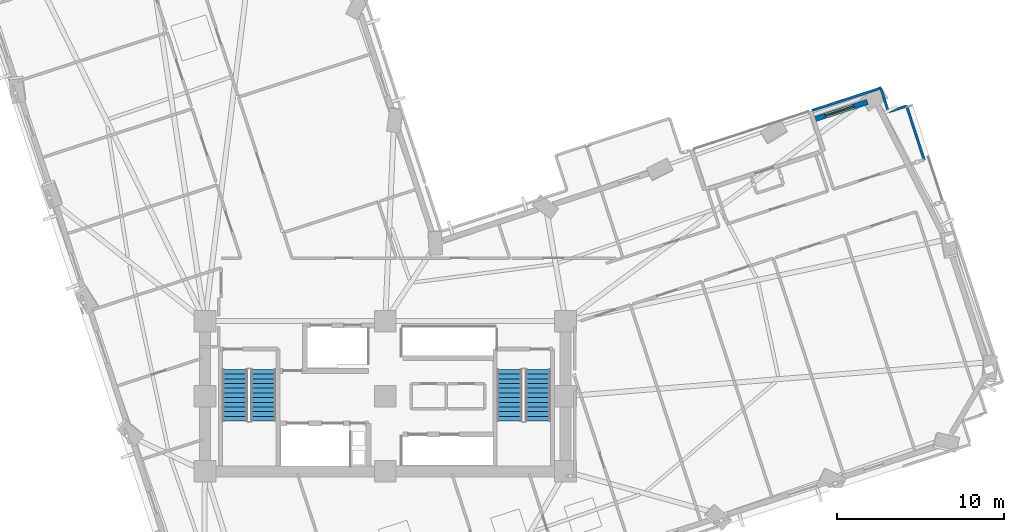
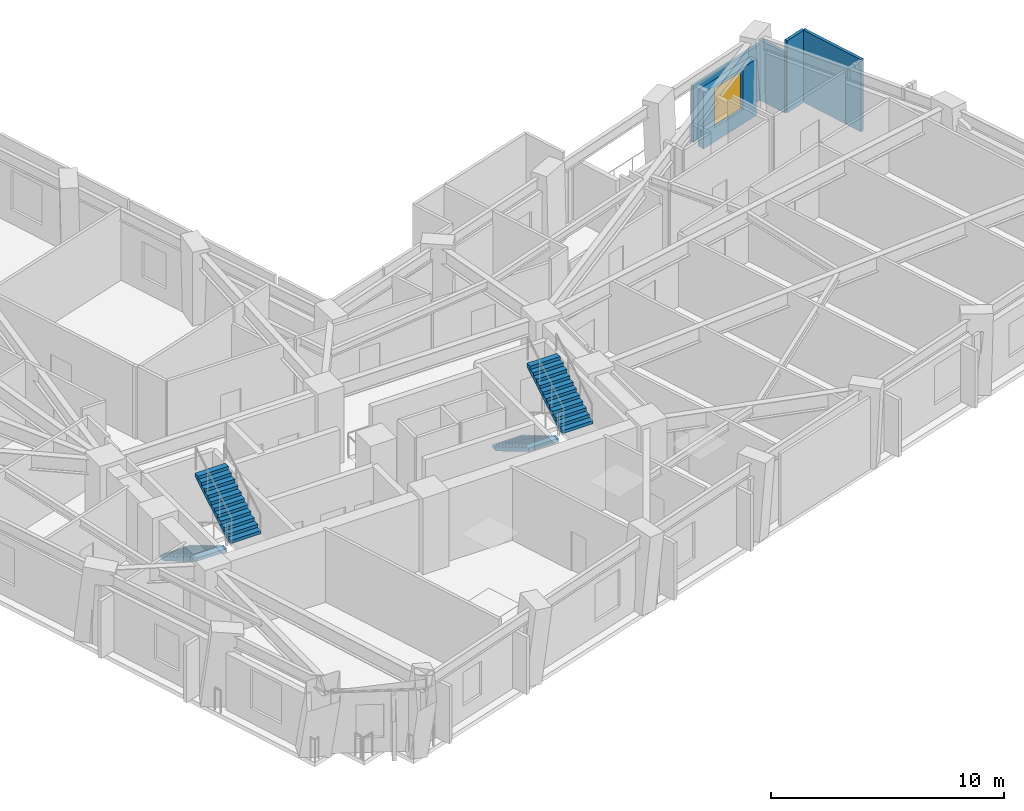
# One storey, part 11 of 16: 5 walls, 4 stair flights, 1 window, 1 opening, 2 elements without a shape of their own.
"""IFC4 building model written with IfcOpenShell, lengths in metres."""

from ifc_helpers import new_model, si_unit, direction, frame, frame_2d, origin, place, context, subcontext, project, spatial, polyline, rectangle, outline, extrude, material, layer, layer_set, type_object, element, fill, aggregate, save


model = new_model("IFC4")

# Units and contexts
model_context = context("Model", 3, precision=1e-05, world=origin(), true_north=direction((0.0, 1.0)))
body_context = subcontext(model_context, "Body", "Model", "MODEL_VIEW")
ifc_project = project(units=[si_unit("LENGTHUNIT", "METRE"), si_unit("AREAUNIT", "SQUARE_METRE"), si_unit("VOLUMEUNIT", "CUBIC_METRE"), si_unit("PLANEANGLEUNIT", "RADIAN"), si_unit("MASSUNIT", "GRAM", prefix="KILO")], contexts=[model_context])

# Site, building, storey
site_placement = place(None, origin())
site = spatial("IfcSite", under=ifc_project, at=site_placement, CompositionType="ELEMENT")
building_placement = place(site_placement, origin())
building = spatial("IfcBuilding", under=site, at=building_placement, Name="Gaonmaruhae Medical Tower", CompositionType="ELEMENT")
storey_placement = place(building_placement, frame((0.0, 0.0, 100.39990234375)))
storey = spatial("IfcBuildingStorey", under=building, at=storey_placement, Name="L23", CompositionType="ELEMENT", Elevation=100.39990234375)

# Wall, opening, window
ifc_material_1 = material(Name="Precast concrete C45/55", Category="concrete")
ifc_layer_1 = layer(ifc_material_1, 0.320068359375)
ifc_layer_set_1 = layer_set([ifc_layer_1], Name="Precast concrete C45/55")
wall_type_1 = type_object("IfcWallType", Name="EW-320 Lower Precast Masonry-Frame Facade Wall", PredefinedType="SOLIDWALL", material=ifc_layer_set_1)
wall_1_placement = place(storey_placement, frame((50.474609375, 28.87939453125, 0.0), z_axis=(0.0, 0.0, 1.0), x_axis=(0.950788010737, 0.309842151164, 0.0)))
wall_1 = element("IfcWall", 1, at=wall_1_placement, inside=storey, type_object=wall_type_1, Name="L23 Precast Masonry-Frame Wall E03-EN01", PredefinedType="SOLIDWALL", context=body_context, shape_type="SweptSolid", body=[
    extrude(rectangle(XDim=3.387451171875, YDim=0.320068359375, at=frame_2d((1.69384765625, 0.0))), origin(), (0.0, 0.0, 1.0), 2.945068359375),
])
opening_placement = place(wall_1_placement, frame((0.710693359375, 0.0, 0.75)))
opening = element("IfcOpeningElement", 2, at=opening_placement, cuts=wall_1, Name="Opening WN-04", PredefinedType="OPENING", context=body_context, shape_type="SweptSolid", body=[
    extrude(rectangle(XDim=1.800048828125, YDim=2.050048828125, at=frame_2d((0.89990234375, 1.02490234375))), frame((0.0, 0.169921875, 0.0), z_axis=(0.0, -1.0, 0.0), x_axis=(1.0, 0.0, 0.0)), (0.0, 0.0, 1.0), 0.340087890625),
])
ifc_material_2 = material(Name="Anodised aluminium and Low-E double glazing", Category="aluminium")
window_type = type_object("IfcWindowType", Name="WN-04 Clinic & Consult Punched Window 1800x2050", PartitioningType="SINGLE_PANEL", PredefinedType="WINDOW", material=ifc_material_2)
window_placement = place(opening_placement, origin())
window = element("IfcWindow", 3, at=window_placement, inside=storey, type_object=window_type, Name="L23 Modular Facade Window E03", OverallHeight=2.050048828125, OverallWidth=1.800048828125, PartitioningType="SINGLE_PANEL", PredefinedType="WINDOW", context=body_context, shape_type="SweptSolid", body=[
    extrude(rectangle(XDim=1.800048828125, YDim=2.050048828125, at=frame_2d((0.89990234375, 1.02490234375))), frame((0.0, 0.030029296875, 0.0), z_axis=(0.0, -1.0, 0.0), x_axis=(1.0, 0.0, 0.0)), (0.0, 0.0, 1.0), 0.06005859375),
])
fill(opening, window)

# Walls
ifc_material_3 = material(Name="Gypsum board partition", Category="gypsum")
ifc_layer_2 = layer(ifc_material_3, 0.14990234375)
ifc_layer_set_2 = layer_set([ifc_layer_2], Name="Gypsum board partition")
wall_type_2 = type_object("IfcWallType", Name="PW-150 Rated Clinical Corridor Partition", PredefinedType="PARTITIONING", material=ifc_layer_set_2)
wall_2_placement = place(storey_placement, frame((54.47998046875, 30.762939453125, 0.0), z_axis=(0.0, 0.0, 1.0), x_axis=(0.310068573935, -0.950714194413, 0.0)))
element("IfcWall", 4, at=wall_2_placement, inside=storey, type_object=wall_type_2, Name="L23 Interior Partition L23-IE06-89", PredefinedType="PARTITIONING", context=body_context, shape_type="SweptSolid", body=[
    extrude(rectangle(XDim=1.5, YDim=0.14990234375, at=frame_2d((0.75, 0.0))), origin(), (0.0, 0.0, 1.0), 3.1650390625),
])
wall_3_placement = place(storey_placement, frame((54.945068359375, 29.3369140625, 0.0), z_axis=(0.0, 0.0, 1.0), x_axis=(0.950845038359, 0.309667100331, 0.0)))
element("IfcWall", 5, at=wall_3_placement, inside=storey, type_object=wall_type_2, Name="L23 Interior Partition L23-IE06-90", PredefinedType="PARTITIONING", context=body_context, shape_type="SweptSolid", body=[
    extrude(rectangle(XDim=1.14013671875, YDim=0.14990234375, at=frame_2d((0.570068359375, 0.0))), origin(), (0.0, 0.0, 1.0), 3.780029296875),
])
wall_4_placement = place(storey_placement, frame((56.029052734375, 29.68994140625, 0.0), z_axis=(0.0, 0.0, 1.0), x_axis=(0.309781407725, -0.950807803622, 0.0)))
element("IfcWall", 6, at=wall_4_placement, inside=storey, type_object=wall_type_2, Name="L23 Interior Partition L23-IE06-91", PredefinedType="PARTITIONING", context=body_context, shape_type="SweptSolid", body=[
    extrude(rectangle(XDim=3.3896484375, YDim=0.14990234375, at=frame_2d((1.69482421875, 0.0))), origin(), (0.0, 0.0, 1.0), 3.780029296875),
])
wall_5_placement = place(storey_placement, frame((50.366943359375, 29.422119140625, 0.0), z_axis=(0.0, 0.0, 1.0), x_axis=(0.950756233323, 0.309939647024, 0.0)))
element("IfcWall", 7, at=wall_5_placement, inside=storey, type_object=wall_type_2, Name="L23 Interior Partition L23-IE06-95", PredefinedType="PARTITIONING", context=body_context, shape_type="SweptSolid", body=[
    extrude(rectangle(XDim=4.326171875, YDim=0.14990234375, at=frame_2d((2.1630859375, 0.0))), origin(), (0.0, 0.0, 1.0), 2.945068359375),
])

# Stair, stair flights
ifc_material_4 = material(Name="Concrete C40/50", Category="concrete")
stair_type = type_object("IfcStairType", Name="ST-T1 Primary Core Escape Dogleg Stair", PredefinedType="TWO_QUARTER_TURN_STAIR", material=ifc_material_4)
stair_1_placement = place(storey_placement, origin())
stair_1 = element("IfcStair", 8, at=stair_1_placement, inside=storey, type_object=stair_type, Name="L23 Protected Escape Stair ST-01", PredefinedType="TWO_QUARTER_TURN_STAIR")
stair_flight_type = type_object("IfcStairFlightType", Name="SF-T1 Primary Core Precast Stair Flight", PredefinedType="STRAIGHT", material=ifc_material_4)
stair_flight_1_placement = place(storey_placement, frame((15.800048828125, 13.89990234375, 0.0), z_axis=(0.0, 0.0, 1.0), x_axis=(0.0, -1.0, 0.0)))
stair_flight_1 = element("IfcStairFlight", 9, at=stair_flight_1_placement, type_object=stair_flight_type, Name="ST-01 flight 1", NumberOfRisers=12, NumberOfTreads=11, PredefinedType="STRAIGHT", RiserHeight=0.166666667, TreadLength=0.28, context=body_context, shape_type="SweptSolid", body=[
    extrude(outline(polyline([(0.0, 0.0), (0.0, 0.166748046875), (0.280029296875, 0.166748046875), (0.280029296875, 0.333251953125), (0.56005859375, 0.333251953125), (0.56005859375, 0.5), (0.840087890625, 0.5), (0.840087890625, 0.666748046875), (1.1201171875, 0.666748046875), (1.1201171875, 0.833251953125), (1.39990234375, 0.833251953125), (1.39990234375, 1.0), (1.679931640625, 1.0), (1.679931640625, 1.166748046875), (1.9599609375, 1.166748046875), (1.9599609375, 1.333251953125), (2.239990234375, 1.333251953125), (2.239990234375, 1.5), (2.52001953125, 1.5), (2.52001953125, 1.666748046875), (2.800048828125, 1.666748046875), (2.800048828125, 1.833251953125), (3.080078125, 1.833251953125), (3.080078125, 2.0), (3.080078125, 1.658935546875), (0.29296875, 0.0), (0.0, 0.0)])), frame((0.0, 0.75, 0.0), z_axis=(0.0, -1.0, 0.0), x_axis=(1.0, 0.0, 0.0)), (0.0, 0.0, 1.0), 1.5),
])
stair_flight_2_placement = place(storey_placement, frame((17.5, 10.820068359375, 2.0), z_axis=(0.0, 0.0, 1.0), x_axis=(0.0, 1.0, 0.0)))
stair_flight_2 = element("IfcStairFlight", 10, at=stair_flight_2_placement, type_object=stair_flight_type, Name="ST-01 flight 2", NumberOfRisers=12, NumberOfTreads=11, PredefinedType="STRAIGHT", RiserHeight=0.166666667, TreadLength=0.28, context=body_context, shape_type="SweptSolid", body=[
    extrude(outline(polyline([(0.0, 0.0), (0.0, 0.166748046875), (0.280029296875, 0.166748046875), (0.280029296875, 0.333251953125), (0.56005859375, 0.333251953125), (0.56005859375, 0.5), (0.840087890625, 0.5), (0.840087890625, 0.666748046875), (1.1201171875, 0.666748046875), (1.1201171875, 0.833251953125), (1.39990234375, 0.833251953125), (1.39990234375, 1.0), (1.679931640625, 1.0), (1.679931640625, 1.166748046875), (1.9599609375, 1.166748046875), (1.9599609375, 1.333251953125), (2.239990234375, 1.333251953125), (2.239990234375, 1.5), (2.52001953125, 1.5), (2.52001953125, 1.666748046875), (2.800048828125, 1.666748046875), (2.800048828125, 1.833251953125), (3.080078125, 1.833251953125), (3.080078125, 2.0), (3.080078125, 1.658935546875), (0.29296875, 0.0), (0.0, 0.0)])), frame((0.0, 0.75, 0.0), z_axis=(0.0, -1.0, 0.0), x_axis=(1.0, 0.0, 0.0)), (0.0, 0.0, 1.0), 1.5),
])
aggregate(stair_1, [stair_flight_1, stair_flight_2])

stair_2_placement = place(storey_placement, origin())
stair_2 = element("IfcStair", 11, at=stair_2_placement, inside=storey, type_object=stair_type, Name="L23 Protected Escape Stair ST-02", PredefinedType="TWO_QUARTER_TURN_STAIR")
stair_flight_3_placement = place(storey_placement, frame((32.25, 13.89990234375, 0.0), z_axis=(0.0, 0.0, 1.0), x_axis=(0.0, -1.0, 0.0)))
stair_flight_3 = element("IfcStairFlight", 12, at=stair_flight_3_placement, type_object=stair_flight_type, Name="ST-02 flight 1", NumberOfRisers=12, NumberOfTreads=11, PredefinedType="STRAIGHT", RiserHeight=0.166666667, TreadLength=0.28, context=body_context, shape_type="SweptSolid", body=[
    extrude(outline(polyline([(0.0, 0.0), (0.0, 0.166748046875), (0.280029296875, 0.166748046875), (0.280029296875, 0.333251953125), (0.56005859375, 0.333251953125), (0.56005859375, 0.5), (0.840087890625, 0.5), (0.840087890625, 0.666748046875), (1.1201171875, 0.666748046875), (1.1201171875, 0.833251953125), (1.39990234375, 0.833251953125), (1.39990234375, 1.0), (1.679931640625, 1.0), (1.679931640625, 1.166748046875), (1.9599609375, 1.166748046875), (1.9599609375, 1.333251953125), (2.239990234375, 1.333251953125), (2.239990234375, 1.5), (2.52001953125, 1.5), (2.52001953125, 1.666748046875), (2.800048828125, 1.666748046875), (2.800048828125, 1.833251953125), (3.080078125, 1.833251953125), (3.080078125, 2.0), (3.080078125, 1.658935546875), (0.29296875, 0.0), (0.0, 0.0)])), frame((0.0, 0.75, 0.0), z_axis=(0.0, -1.0, 0.0), x_axis=(1.0, 0.0, 0.0)), (0.0, 0.0, 1.0), 1.5),
])
stair_flight_4_placement = place(storey_placement, frame((33.949951171875, 10.820068359375, 2.0), z_axis=(0.0, 0.0, 1.0), x_axis=(0.0, 1.0, 0.0)))
stair_flight_4 = element("IfcStairFlight", 13, at=stair_flight_4_placement, type_object=stair_flight_type, Name="ST-02 flight 2", NumberOfRisers=12, NumberOfTreads=11, PredefinedType="STRAIGHT", RiserHeight=0.166666667, TreadLength=0.28, context=body_context, shape_type="SweptSolid", body=[
    extrude(outline(polyline([(0.0, 0.0), (0.0, 0.166748046875), (0.280029296875, 0.166748046875), (0.280029296875, 0.333251953125), (0.56005859375, 0.333251953125), (0.56005859375, 0.5), (0.840087890625, 0.5), (0.840087890625, 0.666748046875), (1.1201171875, 0.666748046875), (1.1201171875, 0.833251953125), (1.39990234375, 0.833251953125), (1.39990234375, 1.0), (1.679931640625, 1.0), (1.679931640625, 1.166748046875), (1.9599609375, 1.166748046875), (1.9599609375, 1.333251953125), (2.239990234375, 1.333251953125), (2.239990234375, 1.5), (2.52001953125, 1.5), (2.52001953125, 1.666748046875), (2.800048828125, 1.666748046875), (2.800048828125, 1.833251953125), (3.080078125, 1.833251953125), (3.080078125, 2.0), (3.080078125, 1.658935546875), (0.29296875, 0.0), (0.0, 0.0)])), frame((0.0, 0.75, 0.0), z_axis=(0.0, -1.0, 0.0), x_axis=(1.0, 0.0, 0.0)), (0.0, 0.0, 1.0), 1.5),
])
aggregate(stair_2, [stair_flight_3, stair_flight_4])

save(model, "model.ifc")
